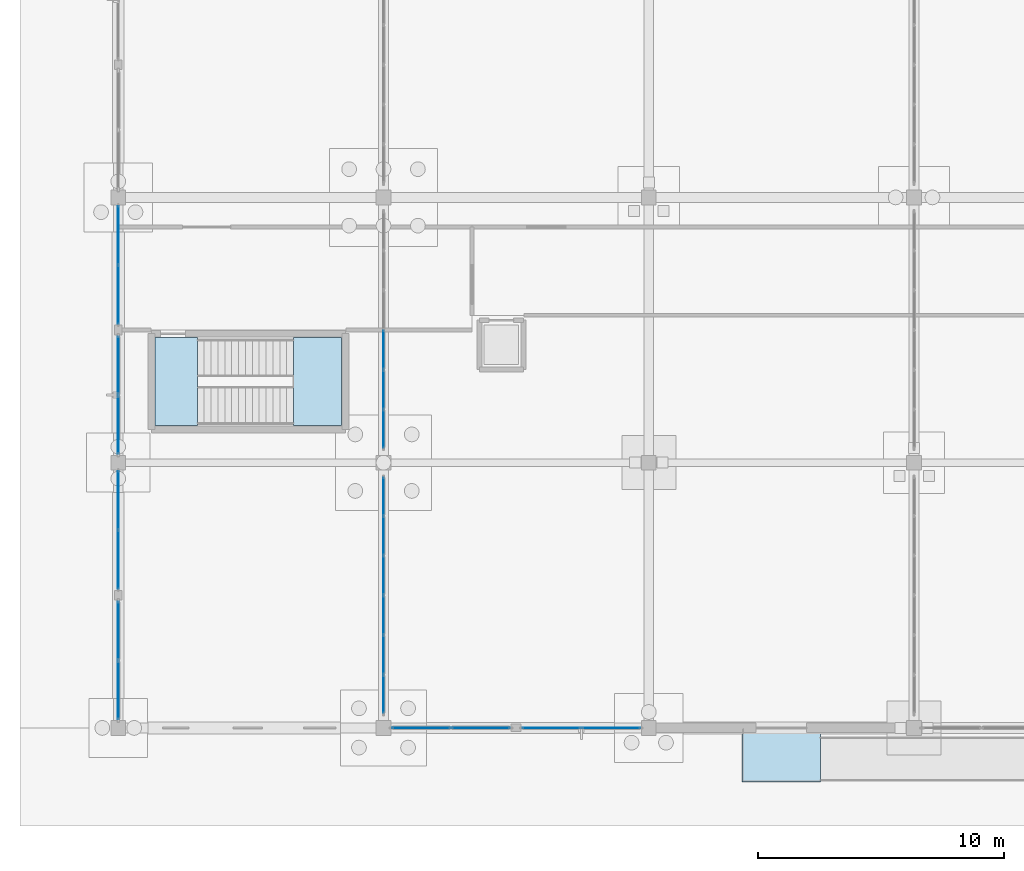
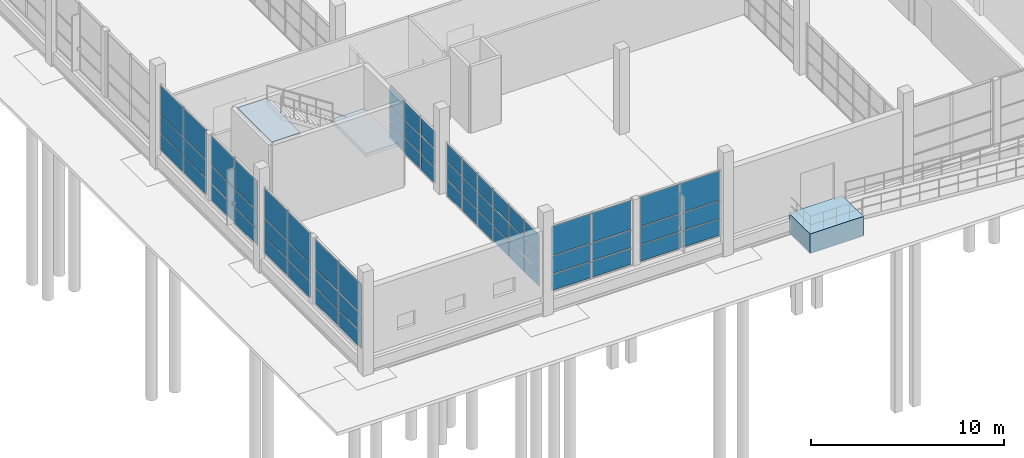
# One storey, part 79 of 138: 63 plates, 3 slabs, 9 elements without a shape of their own.
"""IFC4 building model written with IfcOpenShell, lengths in metres."""

from ifc_helpers import new_model, si_unit, direction, frame, origin, origin_2d, place, context, subcontext, project, spatial, polyline, rectangle, outline, extrude, material, layer, layer_set, type_object, element, aggregate, save


model = new_model("IFC4")

# Units and contexts
model_context = context("Model", 3, precision=1e-05, world=origin(), true_north=direction((0.0, 1.0)))
body_context = subcontext(model_context, "Body", "Model", "MODEL_VIEW")
ifc_project = project(units=[si_unit("LENGTHUNIT", "METRE"), si_unit("AREAUNIT", "SQUARE_METRE"), si_unit("VOLUMEUNIT", "CUBIC_METRE"), si_unit("PLANEANGLEUNIT", "RADIAN"), si_unit("MASSUNIT", "GRAM", prefix="KILO")], contexts=[model_context])

# Site, building, storey
site_placement = place(None, origin())
site = spatial("IfcSite", under=ifc_project, at=site_placement, CompositionType="ELEMENT")
building_placement = place(site_placement, origin())
building = spatial("IfcBuilding", under=site, at=building_placement, Name="Zwinboog Wholesale Market", CompositionType="ELEMENT")
storey_placement = place(building_placement, origin())
storey = spatial("IfcBuildingStorey", under=building, at=storey_placement, Name="L00", CompositionType="ELEMENT", Elevation=0.0)

# Slab
ifc_material_1 = material(Name="Concrete C40/50", Category="concrete")
ifc_layer_1 = layer(ifc_material_1, 0.241943359375)
ifc_layer_set_1 = layer_set([ifc_layer_1], Name="Concrete C40/50")
slab_type_1 = type_object("IfcSlabType", Name="SLT-EX-242", PredefinedType="FLOOR", material=ifc_layer_set_1)
slab_1_placement = place(storey_placement, frame((0.0, 0.0, -1.25)))
element("IfcSlab", 1, at=slab_1_placement, inside=storey, type_object=slab_type_1, Name="ST-242 (SLB-STP-02)", PredefinedType="FLOOR", context=body_context, shape_type="SweptSolid", body=[
    extrude(outline(polyline([(25.39990234375, -2.199951171875), (28.60009765625, -2.199951171875), (28.60009765625, 0.0), (25.39990234375, 0.0), (25.39990234375, -2.199951171875)])), origin(), (0.0, 0.0, 1.0), 1.25),
])

# Curtain wall, plates
ifc_material_2 = material(Name="Aluminium thermally broken curtain wall", Category="aluminium")
curtain_wall_type_1 = type_object("IfcCurtainWallType", Name="CWT-STALL-18", PredefinedType="USERDEFINED", material=ifc_material_2)
curtain_wall_1_placement = place(storey_placement, origin())
curtain_wall_1 = element("IfcCurtainWall", 2, at=curtain_wall_1_placement, inside=storey, type_object=curtain_wall_type_1, Name="CW-01 (CW-L00-001)", ObjectType="STOREFRONT_GLAZING", PredefinedType="USERDEFINED")
ifc_material_3 = material(Name="Double low-e insulated glazing", Category="glass")
ifc_layer_2 = layer(ifc_material_3, 0.031982421875)
ifc_layer_set_2 = layer_set([ifc_layer_2], Name="Double low-e insulated glazing")
plate_type_1 = type_object("IfcPlateType", Name="CWP-IGU-32", PredefinedType="CURTAIN_PANEL", material=ifc_layer_set_2)
plate_1_placement = place(storey_placement, frame((0.0, 1.53759765625, 0.06494140625), z_axis=(0.0, 0.0, 1.0), x_axis=(0.0, 1.0, 0.0)))
plate_1 = element("IfcPlate", 3, at=plate_1_placement, type_object=plate_type_1, Name="CW-01 panel 1.1", PredefinedType="CURTAIN_PANEL", context=body_context, shape_type="SweptSolid", body=[
    extrude(rectangle(XDim=2.35498046875, YDim=0.031982421875, at=origin_2d()), origin(), (0.0, 0.0, 1.0), 1.00244140625),
])
plate_2_placement = place(storey_placement, frame((0.0, 1.53759765625, 1.132568359375), z_axis=(0.0, 0.0, 1.0), x_axis=(0.0, 1.0, 0.0)))
plate_2 = element("IfcPlate", 4, at=plate_2_placement, type_object=plate_type_1, Name="CW-01 panel 1.2", PredefinedType="CURTAIN_PANEL", context=body_context, shape_type="SweptSolid", body=[
    extrude(rectangle(XDim=2.35498046875, YDim=0.031982421875, at=origin_2d()), origin(), (0.0, 0.0, 1.0), 1.0849609375),
])
plate_3_placement = place(storey_placement, frame((0.0, 1.53759765625, 2.282470703125), z_axis=(0.0, 0.0, 1.0), x_axis=(0.0, 1.0, 0.0)))
plate_3 = element("IfcPlate", 5, at=plate_3_placement, type_object=plate_type_1, Name="CW-01 panel 1.3", PredefinedType="CURTAIN_PANEL", context=body_context, shape_type="SweptSolid", body=[
    extrude(rectangle(XDim=2.35498046875, YDim=0.031982421875, at=origin_2d()), origin(), (0.0, 0.0, 1.0), 1.8505859375),
])
plate_4_placement = place(storey_placement, frame((0.0, 3.95751953125, 0.06494140625), z_axis=(0.0, 0.0, 1.0), x_axis=(0.0, 1.0, 0.0)))
plate_4 = element("IfcPlate", 6, at=plate_4_placement, type_object=plate_type_1, Name="CW-01 panel 2.1", PredefinedType="CURTAIN_PANEL", context=body_context, shape_type="SweptSolid", body=[
    extrude(rectangle(XDim=2.35498046875, YDim=0.031982421875, at=origin_2d()), origin(), (0.0, 0.0, 1.0), 1.00244140625),
])
plate_5_placement = place(storey_placement, frame((0.0, 3.95751953125, 1.132568359375), z_axis=(0.0, 0.0, 1.0), x_axis=(0.0, 1.0, 0.0)))
plate_5 = element("IfcPlate", 7, at=plate_5_placement, type_object=plate_type_1, Name="CW-01 panel 2.2", PredefinedType="CURTAIN_PANEL", context=body_context, shape_type="SweptSolid", body=[
    extrude(rectangle(XDim=2.35498046875, YDim=0.031982421875, at=origin_2d()), origin(), (0.0, 0.0, 1.0), 1.0849609375),
])
plate_6_placement = place(storey_placement, frame((0.0, 3.95751953125, 2.282470703125), z_axis=(0.0, 0.0, 1.0), x_axis=(0.0, 1.0, 0.0)))
plate_6 = element("IfcPlate", 8, at=plate_6_placement, type_object=plate_type_1, Name="CW-01 panel 2.3", PredefinedType="CURTAIN_PANEL", context=body_context, shape_type="SweptSolid", body=[
    extrude(rectangle(XDim=2.35498046875, YDim=0.031982421875, at=origin_2d()), origin(), (0.0, 0.0, 1.0), 1.8505859375),
])
aggregate(curtain_wall_1, [plate_1, plate_2, plate_3, plate_4, plate_5, plate_6])

curtain_wall_type_2 = type_object("IfcCurtainWallType", Name="CWT-STALL-20", PredefinedType="USERDEFINED", material=ifc_material_2)
curtain_wall_2_placement = place(storey_placement, origin())
curtain_wall_2 = element("IfcCurtainWall", 9, at=curtain_wall_2_placement, inside=storey, type_object=curtain_wall_type_2, Name="CW-02 (CW-L00-002)", ObjectType="STOREFRONT_GLAZING", PredefinedType="USERDEFINED")
plate_7_placement = place(storey_placement, frame((0.0, 6.84130859375, 0.06005859375), z_axis=(0.0, 0.0, 1.0), x_axis=(0.0, 1.0, 0.0)))
plate_7 = element("IfcPlate", 10, at=plate_7_placement, type_object=plate_type_1, Name="CW-02 panel 1.1", PredefinedType="CURTAIN_PANEL", context=body_context, shape_type="SweptSolid", body=[
    extrude(rectangle(XDim=2.362548828125, YDim=0.031982421875, at=origin_2d()), origin(), (0.0, 0.0, 1.0), 1.010009765625),
])
plate_8_placement = place(storey_placement, frame((0.0, 6.84130859375, 1.1298828125), z_axis=(0.0, 0.0, 1.0), x_axis=(0.0, 1.0, 0.0)))
plate_8 = element("IfcPlate", 11, at=plate_8_placement, type_object=plate_type_1, Name="CW-02 panel 1.2", PredefinedType="CURTAIN_PANEL", context=body_context, shape_type="SweptSolid", body=[
    extrude(rectangle(XDim=2.362548828125, YDim=0.031982421875, at=origin_2d()), origin(), (0.0, 0.0, 1.0), 1.090087890625),
])
plate_9_placement = place(storey_placement, frame((0.0, 6.84130859375, 2.280029296875), z_axis=(0.0, 0.0, 1.0), x_axis=(0.0, 1.0, 0.0)))
plate_9 = element("IfcPlate", 12, at=plate_9_placement, type_object=plate_type_1, Name="CW-02 panel 1.3", PredefinedType="CURTAIN_PANEL", context=body_context, shape_type="SweptSolid", body=[
    extrude(rectangle(XDim=2.362548828125, YDim=0.031982421875, at=origin_2d()), origin(), (0.0, 0.0, 1.0), 1.85791015625),
])
plate_10_placement = place(storey_placement, frame((0.0, 9.263671875, 0.06005859375), z_axis=(0.0, 0.0, 1.0), x_axis=(0.0, 1.0, 0.0)))
plate_10 = element("IfcPlate", 13, at=plate_10_placement, type_object=plate_type_1, Name="CW-02 panel 2.1", PredefinedType="CURTAIN_PANEL", context=body_context, shape_type="SweptSolid", body=[
    extrude(rectangle(XDim=2.362548828125, YDim=0.031982421875, at=origin_2d()), origin(), (0.0, 0.0, 1.0), 1.010009765625),
])
plate_11_placement = place(storey_placement, frame((0.0, 9.263671875, 1.1298828125), z_axis=(0.0, 0.0, 1.0), x_axis=(0.0, 1.0, 0.0)))
plate_11 = element("IfcPlate", 14, at=plate_11_placement, type_object=plate_type_1, Name="CW-02 panel 2.2", PredefinedType="CURTAIN_PANEL", context=body_context, shape_type="SweptSolid", body=[
    extrude(rectangle(XDim=2.362548828125, YDim=0.031982421875, at=origin_2d()), origin(), (0.0, 0.0, 1.0), 1.090087890625),
])
plate_12_placement = place(storey_placement, frame((0.0, 9.263671875, 2.280029296875), z_axis=(0.0, 0.0, 1.0), x_axis=(0.0, 1.0, 0.0)))
plate_12 = element("IfcPlate", 15, at=plate_12_placement, type_object=plate_type_1, Name="CW-02 panel 2.3", PredefinedType="CURTAIN_PANEL", context=body_context, shape_type="SweptSolid", body=[
    extrude(rectangle(XDim=2.362548828125, YDim=0.031982421875, at=origin_2d()), origin(), (0.0, 0.0, 1.0), 1.85791015625),
])
aggregate(curtain_wall_2, [plate_7, plate_8, plate_9, plate_10, plate_11, plate_12])

curtain_wall_type_3 = type_object("IfcCurtainWallType", Name="CWT-HALL-24", PredefinedType="USERDEFINED", material=ifc_material_2)
curtain_wall_3_placement = place(storey_placement, origin())
curtain_wall_3 = element("IfcCurtainWall", 16, at=curtain_wall_3_placement, inside=storey, type_object=curtain_wall_type_3, Name="CW-03 (CW-L00-003)", ObjectType="UNITIZED_CURTAIN_WALL", PredefinedType="USERDEFINED")
plate_13_placement = place(storey_placement, frame((0.0, 12.33740234375, 0.06494140625), z_axis=(0.0, 0.0, 1.0), x_axis=(0.0, 1.0, 0.0)))
plate_13 = element("IfcPlate", 17, at=plate_13_placement, type_object=plate_type_1, Name="CW-03 panel 1.1", PredefinedType="CURTAIN_PANEL", context=body_context, shape_type="SweptSolid", body=[
    extrude(rectangle(XDim=2.35498046875, YDim=0.031982421875, at=origin_2d()), origin(), (0.0, 0.0, 1.0), 1.00244140625),
])
plate_14_placement = place(storey_placement, frame((0.0, 12.33740234375, 1.132568359375), z_axis=(0.0, 0.0, 1.0), x_axis=(0.0, 1.0, 0.0)))
plate_14 = element("IfcPlate", 18, at=plate_14_placement, type_object=plate_type_1, Name="CW-03 panel 1.2", PredefinedType="CURTAIN_PANEL", context=body_context, shape_type="SweptSolid", body=[
    extrude(rectangle(XDim=2.35498046875, YDim=0.031982421875, at=origin_2d()), origin(), (0.0, 0.0, 1.0), 1.0849609375),
])
plate_15_placement = place(storey_placement, frame((0.0, 12.33740234375, 2.282470703125), z_axis=(0.0, 0.0, 1.0), x_axis=(0.0, 1.0, 0.0)))
plate_15 = element("IfcPlate", 19, at=plate_15_placement, type_object=plate_type_1, Name="CW-03 panel 1.3", PredefinedType="CURTAIN_PANEL", context=body_context, shape_type="SweptSolid", body=[
    extrude(rectangle(XDim=2.35498046875, YDim=0.031982421875, at=origin_2d()), origin(), (0.0, 0.0, 1.0), 1.8505859375),
])
plate_16_placement = place(storey_placement, frame((0.0, 14.757568359375, 0.06494140625), z_axis=(0.0, 0.0, 1.0), x_axis=(0.0, 1.0, 0.0)))
plate_16 = element("IfcPlate", 20, at=plate_16_placement, type_object=plate_type_1, Name="CW-03 panel 2.1", PredefinedType="CURTAIN_PANEL", context=body_context, shape_type="SweptSolid", body=[
    extrude(rectangle(XDim=2.35498046875, YDim=0.031982421875, at=origin_2d()), origin(), (0.0, 0.0, 1.0), 1.00244140625),
])
plate_17_placement = place(storey_placement, frame((0.0, 14.757568359375, 1.132568359375), z_axis=(0.0, 0.0, 1.0), x_axis=(0.0, 1.0, 0.0)))
plate_17 = element("IfcPlate", 21, at=plate_17_placement, type_object=plate_type_1, Name="CW-03 panel 2.2", PredefinedType="CURTAIN_PANEL", context=body_context, shape_type="SweptSolid", body=[
    extrude(rectangle(XDim=2.35498046875, YDim=0.031982421875, at=origin_2d()), origin(), (0.0, 0.0, 1.0), 1.0849609375),
])
plate_18_placement = place(storey_placement, frame((0.0, 14.757568359375, 2.282470703125), z_axis=(0.0, 0.0, 1.0), x_axis=(0.0, 1.0, 0.0)))
plate_18 = element("IfcPlate", 22, at=plate_18_placement, type_object=plate_type_1, Name="CW-03 panel 2.3", PredefinedType="CURTAIN_PANEL", context=body_context, shape_type="SweptSolid", body=[
    extrude(rectangle(XDim=2.35498046875, YDim=0.031982421875, at=origin_2d()), origin(), (0.0, 0.0, 1.0), 1.8505859375),
])
aggregate(curtain_wall_3, [plate_13, plate_14, plate_15, plate_16, plate_17, plate_18])

curtain_wall_type_4 = type_object("IfcCurtainWallType", Name="CWT-GAL-16", PredefinedType="USERDEFINED", material=ifc_material_2)
curtain_wall_4_placement = place(storey_placement, origin())
curtain_wall_4 = element("IfcCurtainWall", 23, at=curtain_wall_4_placement, inside=storey, type_object=curtain_wall_type_4, Name="CW-04 (CW-L00-004)", ObjectType="UNITIZED_CURTAIN_WALL", PredefinedType="USERDEFINED")
plate_19_placement = place(storey_placement, frame((0.0, 17.641357421875, 0.06005859375), z_axis=(0.0, 0.0, 1.0), x_axis=(0.0, 1.0, 0.0)))
plate_19 = element("IfcPlate", 24, at=plate_19_placement, type_object=plate_type_1, Name="CW-04 panel 1.1", PredefinedType="CURTAIN_PANEL", context=body_context, shape_type="SweptSolid", body=[
    extrude(rectangle(XDim=2.362548828125, YDim=0.031982421875, at=origin_2d()), origin(), (0.0, 0.0, 1.0), 1.010009765625),
])
plate_20_placement = place(storey_placement, frame((0.0, 17.641357421875, 1.1298828125), z_axis=(0.0, 0.0, 1.0), x_axis=(0.0, 1.0, 0.0)))
plate_20 = element("IfcPlate", 25, at=plate_20_placement, type_object=plate_type_1, Name="CW-04 panel 1.2", PredefinedType="CURTAIN_PANEL", context=body_context, shape_type="SweptSolid", body=[
    extrude(rectangle(XDim=2.362548828125, YDim=0.031982421875, at=origin_2d()), origin(), (0.0, 0.0, 1.0), 1.090087890625),
])
plate_21_placement = place(storey_placement, frame((0.0, 17.641357421875, 2.280029296875), z_axis=(0.0, 0.0, 1.0), x_axis=(0.0, 1.0, 0.0)))
plate_21 = element("IfcPlate", 26, at=plate_21_placement, type_object=plate_type_1, Name="CW-04 panel 1.3", PredefinedType="CURTAIN_PANEL", context=body_context, shape_type="SweptSolid", body=[
    extrude(rectangle(XDim=2.362548828125, YDim=0.031982421875, at=origin_2d()), origin(), (0.0, 0.0, 1.0), 1.85791015625),
])
plate_22_placement = place(storey_placement, frame((0.0, 20.063720703125, 0.06005859375), z_axis=(0.0, 0.0, 1.0), x_axis=(0.0, 1.0, 0.0)))
plate_22 = element("IfcPlate", 27, at=plate_22_placement, type_object=plate_type_1, Name="CW-04 panel 2.1", PredefinedType="CURTAIN_PANEL", context=body_context, shape_type="SweptSolid", body=[
    extrude(rectangle(XDim=2.362548828125, YDim=0.031982421875, at=origin_2d()), origin(), (0.0, 0.0, 1.0), 1.010009765625),
])
plate_23_placement = place(storey_placement, frame((0.0, 20.063720703125, 1.1298828125), z_axis=(0.0, 0.0, 1.0), x_axis=(0.0, 1.0, 0.0)))
plate_23 = element("IfcPlate", 28, at=plate_23_placement, type_object=plate_type_1, Name="CW-04 panel 2.2", PredefinedType="CURTAIN_PANEL", context=body_context, shape_type="SweptSolid", body=[
    extrude(rectangle(XDim=2.362548828125, YDim=0.031982421875, at=origin_2d()), origin(), (0.0, 0.0, 1.0), 1.090087890625),
])
plate_24_placement = place(storey_placement, frame((0.0, 20.063720703125, 2.280029296875), z_axis=(0.0, 0.0, 1.0), x_axis=(0.0, 1.0, 0.0)))
plate_24 = element("IfcPlate", 29, at=plate_24_placement, type_object=plate_type_1, Name="CW-04 panel 2.3", PredefinedType="CURTAIN_PANEL", context=body_context, shape_type="SweptSolid", body=[
    extrude(rectangle(XDim=2.362548828125, YDim=0.031982421875, at=origin_2d()), origin(), (0.0, 0.0, 1.0), 1.85791015625),
])
aggregate(curtain_wall_4, [plate_19, plate_20, plate_21, plate_22, plate_23, plate_24])

curtain_wall_type_5 = type_object("IfcCurtainWallType", Name="CWT-CAFE-22", PredefinedType="USERDEFINED", material=ifc_material_2)
curtain_wall_5_placement = place(storey_placement, origin())
curtain_wall_5 = element("IfcCurtainWall", 30, at=curtain_wall_5_placement, inside=storey, type_object=curtain_wall_type_5, Name="CW-05 (CW-L00-017)", ObjectType="STOREFRONT_GLAZING", PredefinedType="USERDEFINED")
plate_25_placement = place(storey_placement, frame((12.33740234375, 0.0, 0.06494140625), z_axis=(0.0, 0.0, 1.0), x_axis=(1.0, 0.0, 0.0)))
plate_25 = element("IfcPlate", 31, at=plate_25_placement, type_object=plate_type_1, Name="CW-05 panel 1.1", PredefinedType="CURTAIN_PANEL", context=body_context, shape_type="SweptSolid", body=[
    extrude(rectangle(XDim=2.35498046875, YDim=0.031982421875, at=origin_2d()), origin(), (0.0, 0.0, 1.0), 1.00244140625),
])
plate_26_placement = place(storey_placement, frame((12.33740234375, 0.0, 1.132568359375), z_axis=(0.0, 0.0, 1.0), x_axis=(1.0, 0.0, 0.0)))
plate_26 = element("IfcPlate", 32, at=plate_26_placement, type_object=plate_type_1, Name="CW-05 panel 1.2", PredefinedType="CURTAIN_PANEL", context=body_context, shape_type="SweptSolid", body=[
    extrude(rectangle(XDim=2.35498046875, YDim=0.031982421875, at=origin_2d()), origin(), (0.0, 0.0, 1.0), 1.0849609375),
])
plate_27_placement = place(storey_placement, frame((12.33740234375, 0.0, 2.282470703125), z_axis=(0.0, 0.0, 1.0), x_axis=(1.0, 0.0, 0.0)))
plate_27 = element("IfcPlate", 33, at=plate_27_placement, type_object=plate_type_1, Name="CW-05 panel 1.3", PredefinedType="CURTAIN_PANEL", context=body_context, shape_type="SweptSolid", body=[
    extrude(rectangle(XDim=2.35498046875, YDim=0.031982421875, at=origin_2d()), origin(), (0.0, 0.0, 1.0), 1.8505859375),
])
plate_28_placement = place(storey_placement, frame((14.757568359375, 0.0, 0.06494140625), z_axis=(0.0, 0.0, 1.0), x_axis=(1.0, 0.0, 0.0)))
plate_28 = element("IfcPlate", 34, at=plate_28_placement, type_object=plate_type_1, Name="CW-05 panel 2.1", PredefinedType="CURTAIN_PANEL", context=body_context, shape_type="SweptSolid", body=[
    extrude(rectangle(XDim=2.35498046875, YDim=0.031982421875, at=origin_2d()), origin(), (0.0, 0.0, 1.0), 1.00244140625),
])
plate_29_placement = place(storey_placement, frame((14.757568359375, 0.0, 1.132568359375), z_axis=(0.0, 0.0, 1.0), x_axis=(1.0, 0.0, 0.0)))
plate_29 = element("IfcPlate", 35, at=plate_29_placement, type_object=plate_type_1, Name="CW-05 panel 2.2", PredefinedType="CURTAIN_PANEL", context=body_context, shape_type="SweptSolid", body=[
    extrude(rectangle(XDim=2.35498046875, YDim=0.031982421875, at=origin_2d()), origin(), (0.0, 0.0, 1.0), 1.0849609375),
])
plate_30_placement = place(storey_placement, frame((14.757568359375, 0.0, 2.282470703125), z_axis=(0.0, 0.0, 1.0), x_axis=(1.0, 0.0, 0.0)))
plate_30 = element("IfcPlate", 36, at=plate_30_placement, type_object=plate_type_1, Name="CW-05 panel 2.3", PredefinedType="CURTAIN_PANEL", context=body_context, shape_type="SweptSolid", body=[
    extrude(rectangle(XDim=2.35498046875, YDim=0.031982421875, at=origin_2d()), origin(), (0.0, 0.0, 1.0), 1.8505859375),
])
aggregate(curtain_wall_5, [plate_25, plate_26, plate_27, plate_28, plate_29, plate_30])

curtain_wall_type_6 = type_object("IfcCurtainWallType", Name="CWT-OFF-15", PredefinedType="USERDEFINED", material=ifc_material_2)
curtain_wall_6_placement = place(storey_placement, origin())
curtain_wall_6 = element("IfcCurtainWall", 37, at=curtain_wall_6_placement, inside=storey, type_object=curtain_wall_type_6, Name="CW-06 (CW-L00-018)", ObjectType="UNITIZED_CURTAIN_WALL", PredefinedType="USERDEFINED")
plate_31_placement = place(storey_placement, frame((17.641357421875, 0.0, 0.06005859375), z_axis=(0.0, 0.0, 1.0), x_axis=(1.0, 0.0, 0.0)))
plate_31 = element("IfcPlate", 38, at=plate_31_placement, type_object=plate_type_1, Name="CW-06 panel 1.1", PredefinedType="CURTAIN_PANEL", context=body_context, shape_type="SweptSolid", body=[
    extrude(rectangle(XDim=2.362548828125, YDim=0.031982421875, at=origin_2d()), origin(), (0.0, 0.0, 1.0), 1.010009765625),
])
plate_32_placement = place(storey_placement, frame((17.641357421875, 0.0, 1.1298828125), z_axis=(0.0, 0.0, 1.0), x_axis=(1.0, 0.0, 0.0)))
plate_32 = element("IfcPlate", 39, at=plate_32_placement, type_object=plate_type_1, Name="CW-06 panel 1.2", PredefinedType="CURTAIN_PANEL", context=body_context, shape_type="SweptSolid", body=[
    extrude(rectangle(XDim=2.362548828125, YDim=0.031982421875, at=origin_2d()), origin(), (0.0, 0.0, 1.0), 1.090087890625),
])
plate_33_placement = place(storey_placement, frame((17.641357421875, 0.0, 2.280029296875), z_axis=(0.0, 0.0, 1.0), x_axis=(1.0, 0.0, 0.0)))
plate_33 = element("IfcPlate", 40, at=plate_33_placement, type_object=plate_type_1, Name="CW-06 panel 1.3", PredefinedType="CURTAIN_PANEL", context=body_context, shape_type="SweptSolid", body=[
    extrude(rectangle(XDim=2.362548828125, YDim=0.031982421875, at=origin_2d()), origin(), (0.0, 0.0, 1.0), 1.85791015625),
])
plate_34_placement = place(storey_placement, frame((20.063720703125, 0.0, 0.06005859375), z_axis=(0.0, 0.0, 1.0), x_axis=(1.0, 0.0, 0.0)))
plate_34 = element("IfcPlate", 41, at=plate_34_placement, type_object=plate_type_1, Name="CW-06 panel 2.1", PredefinedType="CURTAIN_PANEL", context=body_context, shape_type="SweptSolid", body=[
    extrude(rectangle(XDim=2.362548828125, YDim=0.031982421875, at=origin_2d()), origin(), (0.0, 0.0, 1.0), 1.010009765625),
])
plate_35_placement = place(storey_placement, frame((20.063720703125, 0.0, 1.1298828125), z_axis=(0.0, 0.0, 1.0), x_axis=(1.0, 0.0, 0.0)))
plate_35 = element("IfcPlate", 42, at=plate_35_placement, type_object=plate_type_1, Name="CW-06 panel 2.2", PredefinedType="CURTAIN_PANEL", context=body_context, shape_type="SweptSolid", body=[
    extrude(rectangle(XDim=2.362548828125, YDim=0.031982421875, at=origin_2d()), origin(), (0.0, 0.0, 1.0), 1.090087890625),
])
plate_36_placement = place(storey_placement, frame((20.063720703125, 0.0, 2.280029296875), z_axis=(0.0, 0.0, 1.0), x_axis=(1.0, 0.0, 0.0)))
plate_36 = element("IfcPlate", 43, at=plate_36_placement, type_object=plate_type_1, Name="CW-06 panel 2.3", PredefinedType="CURTAIN_PANEL", context=body_context, shape_type="SweptSolid", body=[
    extrude(rectangle(XDim=2.362548828125, YDim=0.031982421875, at=origin_2d()), origin(), (0.0, 0.0, 1.0), 1.85791015625),
])
aggregate(curtain_wall_6, [plate_31, plate_32, plate_33, plate_34, plate_35, plate_36])

curtain_wall_type_7 = type_object("IfcCurtainWallType", Name="CWT-INT-STALL", PredefinedType="USERDEFINED", material=ifc_material_2)
curtain_wall_7_placement = place(storey_placement, origin())
curtain_wall_7 = element("IfcCurtainWall", 44, at=curtain_wall_7_placement, inside=storey, type_object=curtain_wall_type_7, Name="CW-07 (CW-STL-209)", ObjectType="STOREFRONT_GLAZING", PredefinedType="USERDEFINED")
ifc_material_4 = material(Name="Tempered laminated market stall glazing", Category="glass")
ifc_layer_3 = layer(ifc_material_4, 0.01611328125)
ifc_layer_set_3 = layer_set([ifc_layer_3], Name="Tempered laminated market stall glazing")
plate_type_2 = type_object("IfcPlateType", Name="CWP-INT-16", PredefinedType="CURTAIN_PANEL", material=ifc_layer_set_3)
plate_37_placement = place(storey_placement, frame((10.800048828125, 1.373291015625, 0.06005859375), z_axis=(0.0, 0.0, 1.0), x_axis=(0.0, 1.0, 0.0)))
plate_37 = element("IfcPlate", 45, at=plate_37_placement, type_object=plate_type_2, Name="CW-07 panel 1.1", PredefinedType="CURTAIN_PANEL", context=body_context, shape_type="SweptSolid", body=[
    extrude(rectangle(XDim=1.526611328125, YDim=0.01611328125, at=origin_2d()), origin(), (0.0, 0.0, 1.0), 0.9599609375),
])
plate_38_placement = place(storey_placement, frame((10.800048828125, 1.373291015625, 1.080078125), z_axis=(0.0, 0.0, 1.0), x_axis=(0.0, 1.0, 0.0)))
plate_38 = element("IfcPlate", 46, at=plate_38_placement, type_object=plate_type_2, Name="CW-07 panel 1.2", PredefinedType="CURTAIN_PANEL", context=body_context, shape_type="SweptSolid", body=[
    extrude(rectangle(XDim=1.526611328125, YDim=0.01611328125, at=origin_2d()), origin(), (0.0, 0.0, 1.0), 1.090087890625),
])
plate_39_placement = place(storey_placement, frame((10.800048828125, 1.373291015625, 2.22998046875), z_axis=(0.0, 0.0, 1.0), x_axis=(0.0, 1.0, 0.0)))
plate_39 = element("IfcPlate", 47, at=plate_39_placement, type_object=plate_type_2, Name="CW-07 panel 1.3", PredefinedType="CURTAIN_PANEL", context=body_context, shape_type="SweptSolid", body=[
    extrude(rectangle(XDim=1.526611328125, YDim=0.01611328125, at=origin_2d()), origin(), (0.0, 0.0, 1.0), 1.110107421875),
])
plate_40_placement = place(storey_placement, frame((10.800048828125, 2.97509765625, 0.06005859375), z_axis=(0.0, 0.0, 1.0), x_axis=(0.0, 1.0, 0.0)))
plate_40 = element("IfcPlate", 48, at=plate_40_placement, type_object=plate_type_2, Name="CW-07 panel 2.1", PredefinedType="CURTAIN_PANEL", context=body_context, shape_type="SweptSolid", body=[
    extrude(rectangle(XDim=1.556640625, YDim=0.01611328125, at=origin_2d()), origin(), (0.0, 0.0, 1.0), 0.9599609375),
])
plate_41_placement = place(storey_placement, frame((10.800048828125, 2.97509765625, 1.080078125), z_axis=(0.0, 0.0, 1.0), x_axis=(0.0, 1.0, 0.0)))
plate_41 = element("IfcPlate", 49, at=plate_41_placement, type_object=plate_type_2, Name="CW-07 panel 2.2", PredefinedType="CURTAIN_PANEL", context=body_context, shape_type="SweptSolid", body=[
    extrude(rectangle(XDim=1.556640625, YDim=0.01611328125, at=origin_2d()), origin(), (0.0, 0.0, 1.0), 1.090087890625),
])
plate_42_placement = place(storey_placement, frame((10.800048828125, 2.97509765625, 2.22998046875), z_axis=(0.0, 0.0, 1.0), x_axis=(0.0, 1.0, 0.0)))
plate_42 = element("IfcPlate", 50, at=plate_42_placement, type_object=plate_type_2, Name="CW-07 panel 2.3", PredefinedType="CURTAIN_PANEL", context=body_context, shape_type="SweptSolid", body=[
    extrude(rectangle(XDim=1.556640625, YDim=0.01611328125, at=origin_2d()), origin(), (0.0, 0.0, 1.0), 1.110107421875),
])
plate_43_placement = place(storey_placement, frame((10.800048828125, 4.591552734375, 0.06005859375), z_axis=(0.0, 0.0, 1.0), x_axis=(0.0, 1.0, 0.0)))
plate_43 = element("IfcPlate", 51, at=plate_43_placement, type_object=plate_type_2, Name="CW-07 panel 3.1", PredefinedType="CURTAIN_PANEL", context=body_context, shape_type="SweptSolid", body=[
    extrude(rectangle(XDim=1.556640625, YDim=0.01611328125, at=origin_2d()), origin(), (0.0, 0.0, 1.0), 0.9599609375),
])
plate_44_placement = place(storey_placement, frame((10.800048828125, 4.591552734375, 1.080078125), z_axis=(0.0, 0.0, 1.0), x_axis=(0.0, 1.0, 0.0)))
plate_44 = element("IfcPlate", 52, at=plate_44_placement, type_object=plate_type_2, Name="CW-07 panel 3.2", PredefinedType="CURTAIN_PANEL", context=body_context, shape_type="SweptSolid", body=[
    extrude(rectangle(XDim=1.556640625, YDim=0.01611328125, at=origin_2d()), origin(), (0.0, 0.0, 1.0), 1.090087890625),
])
plate_45_placement = place(storey_placement, frame((10.800048828125, 4.591552734375, 2.22998046875), z_axis=(0.0, 0.0, 1.0), x_axis=(0.0, 1.0, 0.0)))
plate_45 = element("IfcPlate", 53, at=plate_45_placement, type_object=plate_type_2, Name="CW-07 panel 3.3", PredefinedType="CURTAIN_PANEL", context=body_context, shape_type="SweptSolid", body=[
    extrude(rectangle(XDim=1.556640625, YDim=0.01611328125, at=origin_2d()), origin(), (0.0, 0.0, 1.0), 1.110107421875),
])
plate_46_placement = place(storey_placement, frame((10.800048828125, 6.208251953125, 0.06005859375), z_axis=(0.0, 0.0, 1.0), x_axis=(0.0, 1.0, 0.0)))
plate_46 = element("IfcPlate", 54, at=plate_46_placement, type_object=plate_type_2, Name="CW-07 panel 4.1", PredefinedType="CURTAIN_PANEL", context=body_context, shape_type="SweptSolid", body=[
    extrude(rectangle(XDim=1.556640625, YDim=0.01611328125, at=origin_2d()), origin(), (0.0, 0.0, 1.0), 0.9599609375),
])
plate_47_placement = place(storey_placement, frame((10.800048828125, 6.208251953125, 1.080078125), z_axis=(0.0, 0.0, 1.0), x_axis=(0.0, 1.0, 0.0)))
plate_47 = element("IfcPlate", 55, at=plate_47_placement, type_object=plate_type_2, Name="CW-07 panel 4.2", PredefinedType="CURTAIN_PANEL", context=body_context, shape_type="SweptSolid", body=[
    extrude(rectangle(XDim=1.556640625, YDim=0.01611328125, at=origin_2d()), origin(), (0.0, 0.0, 1.0), 1.090087890625),
])
plate_48_placement = place(storey_placement, frame((10.800048828125, 6.208251953125, 2.22998046875), z_axis=(0.0, 0.0, 1.0), x_axis=(0.0, 1.0, 0.0)))
plate_48 = element("IfcPlate", 56, at=plate_48_placement, type_object=plate_type_2, Name="CW-07 panel 4.3", PredefinedType="CURTAIN_PANEL", context=body_context, shape_type="SweptSolid", body=[
    extrude(rectangle(XDim=1.556640625, YDim=0.01611328125, at=origin_2d()), origin(), (0.0, 0.0, 1.0), 1.110107421875),
])
plate_49_placement = place(storey_placement, frame((10.800048828125, 7.824951171875, 0.06005859375), z_axis=(0.0, 0.0, 1.0), x_axis=(0.0, 1.0, 0.0)))
plate_49 = element("IfcPlate", 57, at=plate_49_placement, type_object=plate_type_2, Name="CW-07 panel 5.1", PredefinedType="CURTAIN_PANEL", context=body_context, shape_type="SweptSolid", body=[
    extrude(rectangle(XDim=1.556640625, YDim=0.01611328125, at=origin_2d()), origin(), (0.0, 0.0, 1.0), 0.9599609375),
])
plate_50_placement = place(storey_placement, frame((10.800048828125, 7.824951171875, 1.080078125), z_axis=(0.0, 0.0, 1.0), x_axis=(0.0, 1.0, 0.0)))
plate_50 = element("IfcPlate", 58, at=plate_50_placement, type_object=plate_type_2, Name="CW-07 panel 5.2", PredefinedType="CURTAIN_PANEL", context=body_context, shape_type="SweptSolid", body=[
    extrude(rectangle(XDim=1.556640625, YDim=0.01611328125, at=origin_2d()), origin(), (0.0, 0.0, 1.0), 1.090087890625),
])
plate_51_placement = place(storey_placement, frame((10.800048828125, 7.824951171875, 2.22998046875), z_axis=(0.0, 0.0, 1.0), x_axis=(0.0, 1.0, 0.0)))
plate_51 = element("IfcPlate", 59, at=plate_51_placement, type_object=plate_type_2, Name="CW-07 panel 5.3", PredefinedType="CURTAIN_PANEL", context=body_context, shape_type="SweptSolid", body=[
    extrude(rectangle(XDim=1.556640625, YDim=0.01611328125, at=origin_2d()), origin(), (0.0, 0.0, 1.0), 1.110107421875),
])
plate_52_placement = place(storey_placement, frame((10.800048828125, 9.4267578125, 0.06005859375), z_axis=(0.0, 0.0, 1.0), x_axis=(0.0, 1.0, 0.0)))
plate_52 = element("IfcPlate", 60, at=plate_52_placement, type_object=plate_type_2, Name="CW-07 panel 6.1", PredefinedType="CURTAIN_PANEL", context=body_context, shape_type="SweptSolid", body=[
    extrude(rectangle(XDim=1.526611328125, YDim=0.01611328125, at=origin_2d()), origin(), (0.0, 0.0, 1.0), 0.9599609375),
])
plate_53_placement = place(storey_placement, frame((10.800048828125, 9.4267578125, 1.080078125), z_axis=(0.0, 0.0, 1.0), x_axis=(0.0, 1.0, 0.0)))
plate_53 = element("IfcPlate", 61, at=plate_53_placement, type_object=plate_type_2, Name="CW-07 panel 6.2", PredefinedType="CURTAIN_PANEL", context=body_context, shape_type="SweptSolid", body=[
    extrude(rectangle(XDim=1.526611328125, YDim=0.01611328125, at=origin_2d()), origin(), (0.0, 0.0, 1.0), 1.090087890625),
])
plate_54_placement = place(storey_placement, frame((10.800048828125, 9.4267578125, 2.22998046875), z_axis=(0.0, 0.0, 1.0), x_axis=(0.0, 1.0, 0.0)))
plate_54 = element("IfcPlate", 62, at=plate_54_placement, type_object=plate_type_2, Name="CW-07 panel 6.3", PredefinedType="CURTAIN_PANEL", context=body_context, shape_type="SweptSolid", body=[
    extrude(rectangle(XDim=1.526611328125, YDim=0.01611328125, at=origin_2d()), origin(), (0.0, 0.0, 1.0), 1.110107421875),
])
aggregate(curtain_wall_7, [plate_37, plate_38, plate_39, plate_40, plate_41, plate_42, plate_43, plate_44, plate_45, plate_46, plate_47, plate_48, plate_49, plate_50, plate_51, plate_52, plate_53, plate_54])

curtain_wall_8_placement = place(storey_placement, origin())
curtain_wall_8 = element("IfcCurtainWall", 63, at=curtain_wall_8_placement, inside=storey, type_object=curtain_wall_type_7, Name="CW-07 (CW-STL-210)", ObjectType="STOREFRONT_GLAZING", PredefinedType="USERDEFINED")
plate_55_placement = place(storey_placement, frame((10.800048828125, 12.17333984375, 0.06005859375), z_axis=(0.0, 0.0, 1.0), x_axis=(0.0, 1.0, 0.0)))
plate_55 = element("IfcPlate", 64, at=plate_55_placement, type_object=plate_type_2, Name="CW-07 panel 1.1", PredefinedType="CURTAIN_PANEL", context=body_context, shape_type="SweptSolid", body=[
    extrude(rectangle(XDim=1.526611328125, YDim=0.01611328125, at=origin_2d()), origin(), (0.0, 0.0, 1.0), 0.9599609375),
])
plate_56_placement = place(storey_placement, frame((10.800048828125, 12.17333984375, 1.080078125), z_axis=(0.0, 0.0, 1.0), x_axis=(0.0, 1.0, 0.0)))
plate_56 = element("IfcPlate", 65, at=plate_56_placement, type_object=plate_type_2, Name="CW-07 panel 1.2", PredefinedType="CURTAIN_PANEL", context=body_context, shape_type="SweptSolid", body=[
    extrude(rectangle(XDim=1.526611328125, YDim=0.01611328125, at=origin_2d()), origin(), (0.0, 0.0, 1.0), 1.090087890625),
])
plate_57_placement = place(storey_placement, frame((10.800048828125, 12.17333984375, 2.22998046875), z_axis=(0.0, 0.0, 1.0), x_axis=(0.0, 1.0, 0.0)))
plate_57 = element("IfcPlate", 66, at=plate_57_placement, type_object=plate_type_2, Name="CW-07 panel 1.3", PredefinedType="CURTAIN_PANEL", context=body_context, shape_type="SweptSolid", body=[
    extrude(rectangle(XDim=1.526611328125, YDim=0.01611328125, at=origin_2d()), origin(), (0.0, 0.0, 1.0), 1.110107421875),
])
plate_58_placement = place(storey_placement, frame((10.800048828125, 13.77490234375, 0.06005859375), z_axis=(0.0, 0.0, 1.0), x_axis=(0.0, 1.0, 0.0)))
plate_58 = element("IfcPlate", 67, at=plate_58_placement, type_object=plate_type_2, Name="CW-07 panel 2.1", PredefinedType="CURTAIN_PANEL", context=body_context, shape_type="SweptSolid", body=[
    extrude(rectangle(XDim=1.556640625, YDim=0.01611328125, at=origin_2d()), origin(), (0.0, 0.0, 1.0), 0.9599609375),
])
plate_59_placement = place(storey_placement, frame((10.800048828125, 13.77490234375, 1.080078125), z_axis=(0.0, 0.0, 1.0), x_axis=(0.0, 1.0, 0.0)))
plate_59 = element("IfcPlate", 68, at=plate_59_placement, type_object=plate_type_2, Name="CW-07 panel 2.2", PredefinedType="CURTAIN_PANEL", context=body_context, shape_type="SweptSolid", body=[
    extrude(rectangle(XDim=1.556640625, YDim=0.01611328125, at=origin_2d()), origin(), (0.0, 0.0, 1.0), 1.090087890625),
])
plate_60_placement = place(storey_placement, frame((10.800048828125, 13.77490234375, 2.22998046875), z_axis=(0.0, 0.0, 1.0), x_axis=(0.0, 1.0, 0.0)))
plate_60 = element("IfcPlate", 69, at=plate_60_placement, type_object=plate_type_2, Name="CW-07 panel 2.3", PredefinedType="CURTAIN_PANEL", context=body_context, shape_type="SweptSolid", body=[
    extrude(rectangle(XDim=1.556640625, YDim=0.01611328125, at=origin_2d()), origin(), (0.0, 0.0, 1.0), 1.110107421875),
])
plate_61_placement = place(storey_placement, frame((10.800048828125, 15.3916015625, 0.06005859375), z_axis=(0.0, 0.0, 1.0), x_axis=(0.0, 1.0, 0.0)))
plate_61 = element("IfcPlate", 70, at=plate_61_placement, type_object=plate_type_2, Name="CW-07 panel 3.1", PredefinedType="CURTAIN_PANEL", context=body_context, shape_type="SweptSolid", body=[
    extrude(rectangle(XDim=1.556640625, YDim=0.01611328125, at=origin_2d()), origin(), (0.0, 0.0, 1.0), 0.9599609375),
])
plate_62_placement = place(storey_placement, frame((10.800048828125, 15.3916015625, 1.080078125), z_axis=(0.0, 0.0, 1.0), x_axis=(0.0, 1.0, 0.0)))
plate_62 = element("IfcPlate", 71, at=plate_62_placement, type_object=plate_type_2, Name="CW-07 panel 3.2", PredefinedType="CURTAIN_PANEL", context=body_context, shape_type="SweptSolid", body=[
    extrude(rectangle(XDim=1.556640625, YDim=0.01611328125, at=origin_2d()), origin(), (0.0, 0.0, 1.0), 1.090087890625),
])
plate_63_placement = place(storey_placement, frame((10.800048828125, 15.3916015625, 2.22998046875), z_axis=(0.0, 0.0, 1.0), x_axis=(0.0, 1.0, 0.0)))
plate_63 = element("IfcPlate", 72, at=plate_63_placement, type_object=plate_type_2, Name="CW-07 panel 3.3", PredefinedType="CURTAIN_PANEL", context=body_context, shape_type="SweptSolid", body=[
    extrude(rectangle(XDim=1.556640625, YDim=0.01611328125, at=origin_2d()), origin(), (0.0, 0.0, 1.0), 1.110107421875),
])
aggregate(curtain_wall_8, [plate_55, plate_56, plate_57, plate_58, plate_59, plate_60, plate_61, plate_62, plate_63])

# Stair, slabs
stair_type = type_object("IfcStairType", Name="STT-DOG-160", PredefinedType="HALF_TURN_STAIR", material=ifc_material_1)
stair_placement = place(storey_placement, origin())
stair = element("IfcStair", 73, at=stair_placement, inside=storey, type_object=stair_type, Name="Enclosed Escape Stair ST-01", PredefinedType="HALF_TURN_STAIR")
ifc_layer_4 = layer(ifc_material_1, 0.219970703125)
ifc_layer_set_4 = layer_set([ifc_layer_4], Name="Concrete C40/50")
slab_type_2 = type_object("IfcSlabType", Name="SLT-LND-220", PredefinedType="LANDING", material=ifc_layer_set_4)
slab_2_placement = place(storey_placement, frame((0.0, 0.0, 2.47998046875)))
slab_2 = element("IfcSlab", 74, at=slab_2_placement, type_object=slab_type_2, Name="ST-01 landing 1", PredefinedType="LANDING", context=body_context, shape_type="SweptSolid", body=[
    extrude(outline(polyline([(7.139892578125, 12.304931640625), (9.094970703125, 12.304931640625), (9.094970703125, 15.89501953125), (7.139892578125, 15.89501953125), (7.139892578125, 12.304931640625)])), origin(), (0.0, 0.0, 1.0), 0.219970703125),
])
slab_3_placement = place(storey_placement, frame((0.0, 0.0, 5.179931640625)))
slab_3 = element("IfcSlab", 75, at=slab_3_placement, type_object=slab_type_2, Name="ST-01 landing 2", PredefinedType="LANDING", context=body_context, shape_type="SweptSolid", body=[
    extrude(outline(polyline([(1.5048828125, 12.304931640625), (3.219970703125, 12.304931640625), (3.219970703125, 15.89501953125), (1.5048828125, 15.89501953125), (1.5048828125, 12.304931640625)])), origin(), (0.0, 0.0, 1.0), 0.219970703125),
])
aggregate(stair, [slab_2, slab_3])

save(model, "model.ifc")
